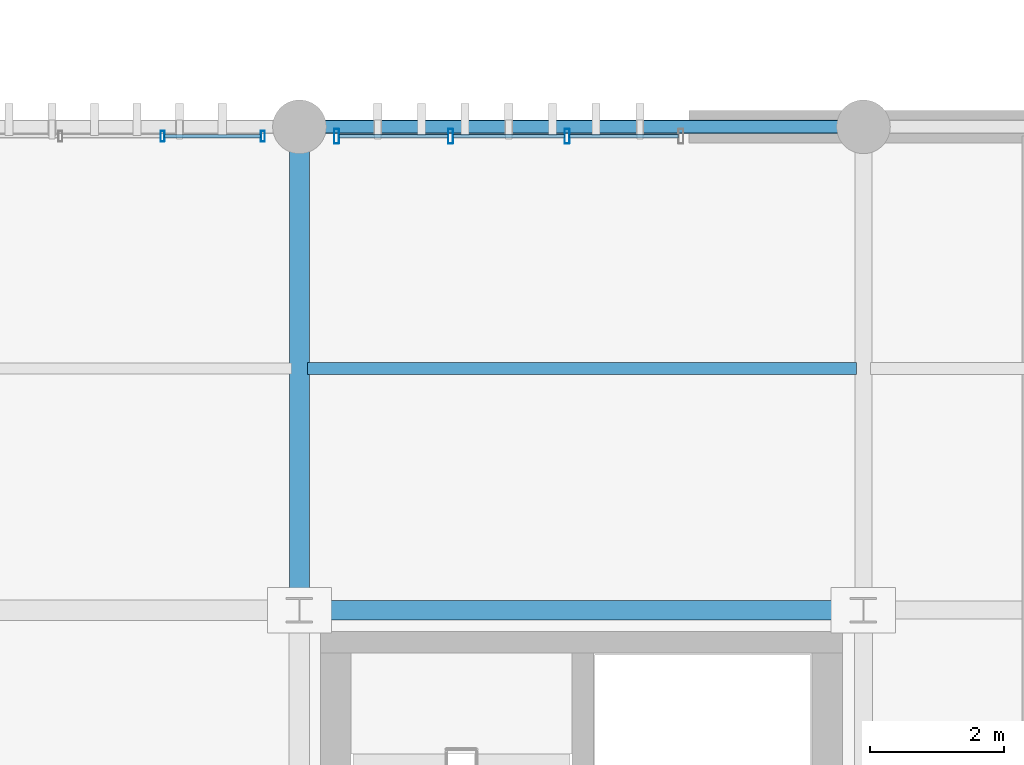
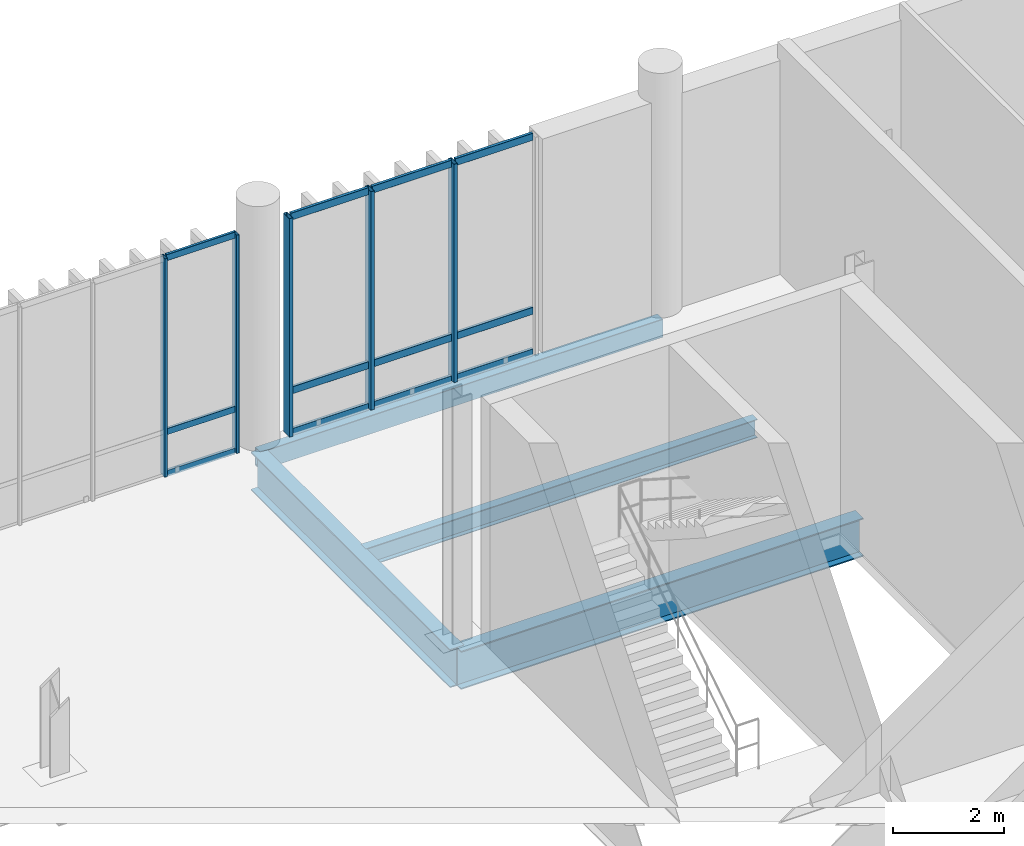
# One storey, part 51 of 112: 17 members, 4 beams, 2 elements without a shape of their own.
"""IFC4 building model written with IfcOpenShell, lengths in metres."""

from ifc_helpers import new_model, si_unit, direction, frame, origin_with_axes, origin_2d_with_axis, place, context, subcontext, project, spatial, hollow_rectangle, i_section, extrude, material, material_profile, profile_set, type_object, element, aggregate, save


model = new_model("IFC4")

# Units and contexts
model_context = context("Model", 3, precision=1e-05, world=origin_with_axes(), true_north=direction((0.0, 1.0)))
body_context = subcontext(model_context, "Body", "Model", "MODEL_VIEW")
ifc_project = project(units=[si_unit("LENGTHUNIT", "METRE"), si_unit("AREAUNIT", "SQUARE_METRE"), si_unit("VOLUMEUNIT", "CUBIC_METRE"), si_unit("PLANEANGLEUNIT", "RADIAN"), si_unit("MASSUNIT", "GRAM", prefix="KILO"), si_unit("THERMODYNAMICTEMPERATUREUNIT", "KELVIN")], contexts=[model_context])

# Site, building, storey
site_placement = place(None, origin_with_axes())
site = spatial("IfcSite", under=ifc_project, at=site_placement, CompositionType="ELEMENT")
building_placement = place(site_placement, origin_with_axes())
building = spatial("IfcBuilding", under=site, at=building_placement, Name="Montbau Bow Law Courts", CompositionType="ELEMENT")
storey_placement = place(building_placement, origin_with_axes())
storey = spatial("IfcBuildingStorey", under=building, at=storey_placement, Name="L00", CompositionType="ELEMENT", Elevation=0.0)

# Beams
ifc_material_1 = material(Name="Steel CSA G40.21 Grade 350W (350 MPa)", Category="steel")
ifc_material_profile_1 = material_profile(ifc_material_1, i_section(OverallWidth=0.293, OverallDepth=0.846, WebThickness=0.0154, FlangeThickness=0.0244, at=origin_2d_with_axis()), Name="W840X210", Category="Main", Priority=0)
ifc_profile_set_1 = profile_set([ifc_material_profile_1], Name="Steel CSA G40.21 Grade 350W (350 MPa)")
beam_type_1 = type_object("IfcBeamType", Name="B-FLR-02", PredefinedType="BEAM", material=ifc_profile_set_1)
beam_1_placement = place(None, frame((80.4, 54.6, -0.663), z_axis=(1.0, 0.0, 0.0), x_axis=(0.0, 1.0, 0.0)))
element("IfcBeam", 1, at=beam_1_placement, inside=storey, type_object=beam_type_1, Name="BM-L00-S0218:bm2_0221", PredefinedType="BEAM", context=body_context, shape_type="SweptSolid", body=[
    extrude(i_section(OverallWidth=0.293, OverallDepth=0.846, WebThickness=0.0154, FlangeThickness=0.0244, at=origin_2d_with_axis()), origin_with_axes(), (0.0, 0.0, 1.0), 8.4),
])
beam_2_placement = place(None, frame((80.4, 54.6, -0.663), z_axis=(0.0, 1.0, 0.0), x_axis=(-1.0, 0.0, 0.0)))
element("IfcBeam", 2, at=beam_2_placement, inside=storey, type_object=beam_type_1, Name="BM-L00-S0299:bm2_0302", PredefinedType="BEAM", context=body_context, shape_type="SweptSolid", body=[
    extrude(i_section(OverallWidth=0.293, OverallDepth=0.846, WebThickness=0.0154, FlangeThickness=0.0244, at=origin_2d_with_axis()), origin_with_axes(), (0.0, 0.0, 1.0), 7.2),
])
ifc_material_profile_2 = material_profile(ifc_material_1, i_section(OverallWidth=0.179, OverallDepth=0.41, WebThickness=0.0088, FlangeThickness=0.0144, at=origin_2d_with_axis()), Name="W410X67", Category="Main", Priority=0)
ifc_profile_set_2 = profile_set([ifc_material_profile_2], Name="Steel CSA G40.21 Grade 350W (350 MPa)")
beam_type_2 = type_object("IfcBeamType", Name="B-JST-02", PredefinedType="JOIST", material=ifc_profile_set_2)
beam_3_placement = place(None, frame((80.523, 58.2, -0.445), z_axis=(1.0, 0.0, 0.0), x_axis=(0.0, 1.0, 0.0)))
element("IfcBeam", 3, at=beam_3_placement, inside=storey, type_object=beam_type_2, Name="JST-L00-S0089:jst2_0089", PredefinedType="JOIST", context=body_context, shape_type="SweptSolid", body=[
    extrude(i_section(OverallWidth=0.179, OverallDepth=0.41, WebThickness=0.0088, FlangeThickness=0.0144, at=origin_2d_with_axis()), origin_with_axes(), (0.0, 0.0, 1.0), 8.174),
])
ifc_material_2 = material(Name="Steel CSA G40.21 Grade 350WT (350 MPa)", Category="steel")
ifc_material_profile_3 = material_profile(ifc_material_2, hollow_rectangle(XDim=0.203, YDim=0.406, WallThickness=0.0127, InnerFilletRadius=0.0254, OuterFilletRadius=0.0127, at=origin_2d_with_axis()), Name="HSS406X203X13", Category="Main", Priority=0)
ifc_profile_set_3 = profile_set([ifc_material_profile_3], Name="Steel CSA G40.21 Grade 350WT (350 MPa)")
beam_type_3 = type_object("IfcBeamType", Name="B-SPN-01", PredefinedType="SPANDREL", material=ifc_profile_set_3)
beam_4_placement = place(None, frame((80.4, 61.8, -0.443), z_axis=(1.0, 0.0, 0.0), x_axis=(0.0, 1.0, 0.0)))
element("IfcBeam", 4, at=beam_4_placement, inside=storey, type_object=beam_type_3, Name="SPN-L00-S0231:bm2_0234", PredefinedType="SPANDREL", context=body_context, shape_type="SweptSolid", body=[
    extrude(hollow_rectangle(XDim=0.203, YDim=0.406, WallThickness=0.0127, InnerFilletRadius=0.0254, OuterFilletRadius=0.0127, at=origin_2d_with_axis()), origin_with_axes(), (0.0, 0.0, 1.0), 8.4),
])

# Curtain wall, members
ifc_material_3 = material(Name="Thermally Broken Extruded Aluminium AA 6063-T6", Category="aluminium")
curtain_wall_type = type_object("IfcCurtainWallType", Name="CW-CRM-01", PredefinedType="NOTDEFINED", material=ifc_material_3)
curtain_wall_1_placement = place(None, frame((80.915, 61.66, 0.0), z_axis=(0.0, 0.0, 1.0), x_axis=(1.0, 0.0, 0.0)))
curtain_wall_1 = element("IfcCurtainWall", 5, at=curtain_wall_1_placement, inside=storey, type_object=curtain_wall_type, Name="CW-L00-132:cw_0132", PredefinedType="NOTDEFINED")
ifc_material_profile_4 = material_profile(ifc_material_3, hollow_rectangle(XDim=0.075, YDim=0.22, WallThickness=0.005, InnerFilletRadius=0.01, OuterFilletRadius=0.005, at=origin_2d_with_axis()), Name="CWM-220X75", Category="Main", Priority=0)
ifc_profile_set_4 = profile_set([ifc_material_profile_4], Name="Thermally Broken Extruded Aluminium AA 6063-T6")
member_type_1 = type_object("IfcMemberType", Name="M-MUL-01", PredefinedType="MULLION", material=ifc_profile_set_4)
member_1_placement = place(None, frame((80.952, 61.66, 0.0), z_axis=(0.0, 0.0, 1.0), x_axis=(1.0, 0.0, 0.0)))
member_1 = element("IfcMember", 6, at=member_1_placement, type_object=member_type_1, Name="CW-L00-132-M01:cw_0132_M01", PredefinedType="MULLION", context=body_context, shape_type="SweptSolid", body=[
    extrude(hollow_rectangle(XDim=0.075, YDim=0.22, WallThickness=0.005, InnerFilletRadius=0.01, OuterFilletRadius=0.005, at=origin_2d_with_axis()), origin_with_axes(), (0.0, 0.0, 1.0), 4.82),
])
member_2_placement = place(None, frame((82.65, 61.66, 0.0), z_axis=(0.0, 0.0, 1.0), x_axis=(1.0, 0.0, 0.0)))
member_2 = element("IfcMember", 7, at=member_2_placement, type_object=member_type_1, Name="CW-L00-132-M02:cw_0132_M02", PredefinedType="MULLION", context=body_context, shape_type="SweptSolid", body=[
    extrude(hollow_rectangle(XDim=0.075, YDim=0.22, WallThickness=0.005, InnerFilletRadius=0.01, OuterFilletRadius=0.005, at=origin_2d_with_axis()), origin_with_axes(), (0.0, 0.0, 1.0), 4.82),
])
member_3_placement = place(None, frame((84.385, 61.66, 0.0), z_axis=(0.0, 0.0, 1.0), x_axis=(1.0, 0.0, 0.0)))
member_3 = element("IfcMember", 8, at=member_3_placement, type_object=member_type_1, Name="CW-L00-132-M03:cw_0132_M03", PredefinedType="MULLION", context=body_context, shape_type="SweptSolid", body=[
    extrude(hollow_rectangle(XDim=0.075, YDim=0.22, WallThickness=0.005, InnerFilletRadius=0.01, OuterFilletRadius=0.005, at=origin_2d_with_axis()), origin_with_axes(), (0.0, 0.0, 1.0), 4.82),
])

curtain_wall_2_placement = place(None, frame((72.267, 61.66, 0.0), z_axis=(0.0, 0.0, 1.0), x_axis=(1.0, 0.0, 0.0)))
curtain_wall_2 = element("IfcCurtainWall", 9, at=curtain_wall_2_placement, inside=storey, type_object=curtain_wall_type, Name="CW-L00-131:cw_0131", PredefinedType="NOTDEFINED")
ifc_material_profile_5 = material_profile(ifc_material_3, hollow_rectangle(XDim=0.06, YDim=0.16, WallThickness=0.004, InnerFilletRadius=0.008, OuterFilletRadius=0.004, at=origin_2d_with_axis()), Name="CWM-160X60", Category="Main", Priority=0)
ifc_profile_set_5 = profile_set([ifc_material_profile_5], Name="Thermally Broken Extruded Aluminium AA 6063-T6")
member_type_2 = type_object("IfcMemberType", Name="M-MUL-03", PredefinedType="MULLION", material=ifc_profile_set_5)
member_4_placement = place(None, frame((78.361, 61.66, 0.0), z_axis=(0.0, 0.0, 1.0), x_axis=(1.0, 0.0, 0.0)))
member_4 = element("IfcMember", 10, at=member_4_placement, type_object=member_type_2, Name="CW-L00-131-M05:cw_0131_M05", PredefinedType="MULLION", context=body_context, shape_type="SweptSolid", body=[
    extrude(hollow_rectangle(XDim=0.06, YDim=0.16, WallThickness=0.004, InnerFilletRadius=0.008, OuterFilletRadius=0.004, at=origin_2d_with_axis()), origin_with_axes(), (0.0, 0.0, 1.0), 4.82),
])
member_5_placement = place(None, frame((79.855, 61.66, 0.0), z_axis=(0.0, 0.0, 1.0), x_axis=(1.0, 0.0, 0.0)))
member_5 = element("IfcMember", 11, at=member_5_placement, type_object=member_type_2, Name="CW-L00-131-M06:cw_0131_M06", PredefinedType="MULLION", context=body_context, shape_type="SweptSolid", body=[
    extrude(hollow_rectangle(XDim=0.06, YDim=0.16, WallThickness=0.004, InnerFilletRadius=0.008, OuterFilletRadius=0.004, at=origin_2d_with_axis()), origin_with_axes(), (0.0, 0.0, 1.0), 4.82),
])

# Member
ifc_material_profile_6 = material_profile(ifc_material_3, hollow_rectangle(XDim=0.06, YDim=0.16, WallThickness=0.004, InnerFilletRadius=0.008, OuterFilletRadius=0.004, at=origin_2d_with_axis()), Name="CWT-160X60", Category="Main", Priority=0)
ifc_profile_set_6 = profile_set([ifc_material_profile_6], Name="Thermally Broken Extruded Aluminium AA 6063-T6")
member_type_3 = type_object("IfcMemberType", Name="M-TRN-01", PredefinedType="USERDEFINED", material=ifc_profile_set_6)
member_6_placement = place(None, frame((80.991, 61.66, 0.03), z_axis=(1.0, 0.0, 0.0), x_axis=(0.0, 1.0, 0.0)))
member_6 = element("IfcMember", 12, at=member_6_placement, type_object=member_type_3, Name="CW-L00-132-T01-1:cw_0132_T01_1", ObjectType="TRANSOM", PredefinedType="USERDEFINED", context=body_context, shape_type="SweptSolid", body=[
    extrude(hollow_rectangle(XDim=0.06, YDim=0.16, WallThickness=0.004, InnerFilletRadius=0.008, OuterFilletRadius=0.004, at=origin_2d_with_axis()), origin_with_axes(), (0.0, 0.0, 1.0), 1.62),
])

member_7_placement = place(None, frame((80.991, 61.66, 0.95), z_axis=(1.0, 0.0, 0.0), x_axis=(0.0, 1.0, 0.0)))
member_7 = element("IfcMember", 13, at=member_7_placement, type_object=member_type_3, Name="CW-L00-132-T01-2:cw_0132_T01_2", ObjectType="TRANSOM", PredefinedType="USERDEFINED", context=body_context, shape_type="SweptSolid", body=[
    extrude(hollow_rectangle(XDim=0.06, YDim=0.16, WallThickness=0.004, InnerFilletRadius=0.008, OuterFilletRadius=0.004, at=origin_2d_with_axis()), origin_with_axes(), (0.0, 0.0, 1.0), 1.62),
])

member_8_placement = place(None, frame((80.991, 61.66, 4.79), z_axis=(1.0, 0.0, 0.0), x_axis=(0.0, 1.0, 0.0)))
member_8 = element("IfcMember", 14, at=member_8_placement, type_object=member_type_3, Name="CW-L00-132-T01-3:cw_0132_T01_3", ObjectType="TRANSOM", PredefinedType="USERDEFINED", context=body_context, shape_type="SweptSolid", body=[
    extrude(hollow_rectangle(XDim=0.06, YDim=0.16, WallThickness=0.004, InnerFilletRadius=0.008, OuterFilletRadius=0.004, at=origin_2d_with_axis()), origin_with_axes(), (0.0, 0.0, 1.0), 1.62),
])

member_9_placement = place(None, frame((82.69, 61.66, 0.03), z_axis=(1.0, 0.0, 0.0), x_axis=(0.0, 1.0, 0.0)))
member_9 = element("IfcMember", 15, at=member_9_placement, type_object=member_type_3, Name="CW-L00-132-T02-1:cw_0132_T02_1", ObjectType="TRANSOM", PredefinedType="USERDEFINED", context=body_context, shape_type="SweptSolid", body=[
    extrude(hollow_rectangle(XDim=0.06, YDim=0.16, WallThickness=0.004, InnerFilletRadius=0.008, OuterFilletRadius=0.004, at=origin_2d_with_axis()), origin_with_axes(), (0.0, 0.0, 1.0), 1.656),
])

member_10_placement = place(None, frame((82.69, 61.66, 0.95), z_axis=(1.0, 0.0, 0.0), x_axis=(0.0, 1.0, 0.0)))
member_10 = element("IfcMember", 16, at=member_10_placement, type_object=member_type_3, Name="CW-L00-132-T02-2:cw_0132_T02_2", ObjectType="TRANSOM", PredefinedType="USERDEFINED", context=body_context, shape_type="SweptSolid", body=[
    extrude(hollow_rectangle(XDim=0.06, YDim=0.16, WallThickness=0.004, InnerFilletRadius=0.008, OuterFilletRadius=0.004, at=origin_2d_with_axis()), origin_with_axes(), (0.0, 0.0, 1.0), 1.656),
])

member_11_placement = place(None, frame((82.69, 61.66, 4.79), z_axis=(1.0, 0.0, 0.0), x_axis=(0.0, 1.0, 0.0)))
member_11 = element("IfcMember", 17, at=member_11_placement, type_object=member_type_3, Name="CW-L00-132-T02-3:cw_0132_T02_3", ObjectType="TRANSOM", PredefinedType="USERDEFINED", context=body_context, shape_type="SweptSolid", body=[
    extrude(hollow_rectangle(XDim=0.06, YDim=0.16, WallThickness=0.004, InnerFilletRadius=0.008, OuterFilletRadius=0.004, at=origin_2d_with_axis()), origin_with_axes(), (0.0, 0.0, 1.0), 1.656),
])

member_12_placement = place(None, frame((84.425, 61.66, 0.03), z_axis=(1.0, 0.0, 0.0), x_axis=(0.0, 1.0, 0.0)))
member_12 = element("IfcMember", 18, at=member_12_placement, type_object=member_type_3, Name="CW-L00-132-T03-1:cw_0132_T03_1", ObjectType="TRANSOM", PredefinedType="USERDEFINED", context=body_context, shape_type="SweptSolid", body=[
    extrude(hollow_rectangle(XDim=0.06, YDim=0.16, WallThickness=0.004, InnerFilletRadius=0.008, OuterFilletRadius=0.004, at=origin_2d_with_axis()), origin_with_axes(), (0.0, 0.0, 1.0), 1.618),
])

member_13_placement = place(None, frame((84.425, 61.66, 0.95), z_axis=(1.0, 0.0, 0.0), x_axis=(0.0, 1.0, 0.0)))
member_13 = element("IfcMember", 19, at=member_13_placement, type_object=member_type_3, Name="CW-L00-132-T03-2:cw_0132_T03_2", ObjectType="TRANSOM", PredefinedType="USERDEFINED", context=body_context, shape_type="SweptSolid", body=[
    extrude(hollow_rectangle(XDim=0.06, YDim=0.16, WallThickness=0.004, InnerFilletRadius=0.008, OuterFilletRadius=0.004, at=origin_2d_with_axis()), origin_with_axes(), (0.0, 0.0, 1.0), 1.618),
])

member_14_placement = place(None, frame((84.425, 61.66, 4.79), z_axis=(1.0, 0.0, 0.0), x_axis=(0.0, 1.0, 0.0)))
member_14 = element("IfcMember", 20, at=member_14_placement, type_object=member_type_3, Name="CW-L00-132-T03-3:cw_0132_T03_3", ObjectType="TRANSOM", PredefinedType="USERDEFINED", context=body_context, shape_type="SweptSolid", body=[
    extrude(hollow_rectangle(XDim=0.06, YDim=0.16, WallThickness=0.004, InnerFilletRadius=0.008, OuterFilletRadius=0.004, at=origin_2d_with_axis()), origin_with_axes(), (0.0, 0.0, 1.0), 1.618),
])

aggregate(curtain_wall_1, [member_1, member_2, member_3, member_6, member_7, member_8, member_9, member_10, member_11, member_12, member_13, member_14])

ifc_material_profile_7 = material_profile(ifc_material_3, hollow_rectangle(XDim=0.055, YDim=0.14, WallThickness=0.004, InnerFilletRadius=0.008, OuterFilletRadius=0.004, at=origin_2d_with_axis()), Name="CWT-140X55", Category="Main", Priority=0)
ifc_profile_set_7 = profile_set([ifc_material_profile_7], Name="Thermally Broken Extruded Aluminium AA 6063-T6")
member_type_4 = type_object("IfcMemberType", Name="M-TRN-02", PredefinedType="USERDEFINED", material=ifc_profile_set_7)
member_15_placement = place(None, frame((78.393, 61.66, 0.028), z_axis=(1.0, 0.0, 0.0), x_axis=(0.0, 1.0, 0.0)))
member_15 = element("IfcMember", 21, at=member_15_placement, type_object=member_type_4, Name="CW-L00-131-T05-1:cw_0131_T05_1", ObjectType="TRANSOM", PredefinedType="USERDEFINED", context=body_context, shape_type="SweptSolid", body=[
    extrude(hollow_rectangle(XDim=0.055, YDim=0.14, WallThickness=0.004, InnerFilletRadius=0.008, OuterFilletRadius=0.004, at=origin_2d_with_axis()), origin_with_axes(), (0.0, 0.0, 1.0), 1.43),
])

member_16_placement = place(None, frame((78.393, 61.66, 0.95), z_axis=(1.0, 0.0, 0.0), x_axis=(0.0, 1.0, 0.0)))
member_16 = element("IfcMember", 22, at=member_16_placement, type_object=member_type_4, Name="CW-L00-131-T05-2:cw_0131_T05_2", ObjectType="TRANSOM", PredefinedType="USERDEFINED", context=body_context, shape_type="SweptSolid", body=[
    extrude(hollow_rectangle(XDim=0.055, YDim=0.14, WallThickness=0.004, InnerFilletRadius=0.008, OuterFilletRadius=0.004, at=origin_2d_with_axis()), origin_with_axes(), (0.0, 0.0, 1.0), 1.43),
])

member_17_placement = place(None, frame((78.393, 61.66, 4.793), z_axis=(1.0, 0.0, 0.0), x_axis=(0.0, 1.0, 0.0)))
member_17 = element("IfcMember", 23, at=member_17_placement, type_object=member_type_4, Name="CW-L00-131-T05-3:cw_0131_T05_3", ObjectType="TRANSOM", PredefinedType="USERDEFINED", context=body_context, shape_type="SweptSolid", body=[
    extrude(hollow_rectangle(XDim=0.055, YDim=0.14, WallThickness=0.004, InnerFilletRadius=0.008, OuterFilletRadius=0.004, at=origin_2d_with_axis()), origin_with_axes(), (0.0, 0.0, 1.0), 1.43),
])

aggregate(curtain_wall_2, [member_4, member_5, member_15, member_16, member_17])

save(model, "model.ifc")
